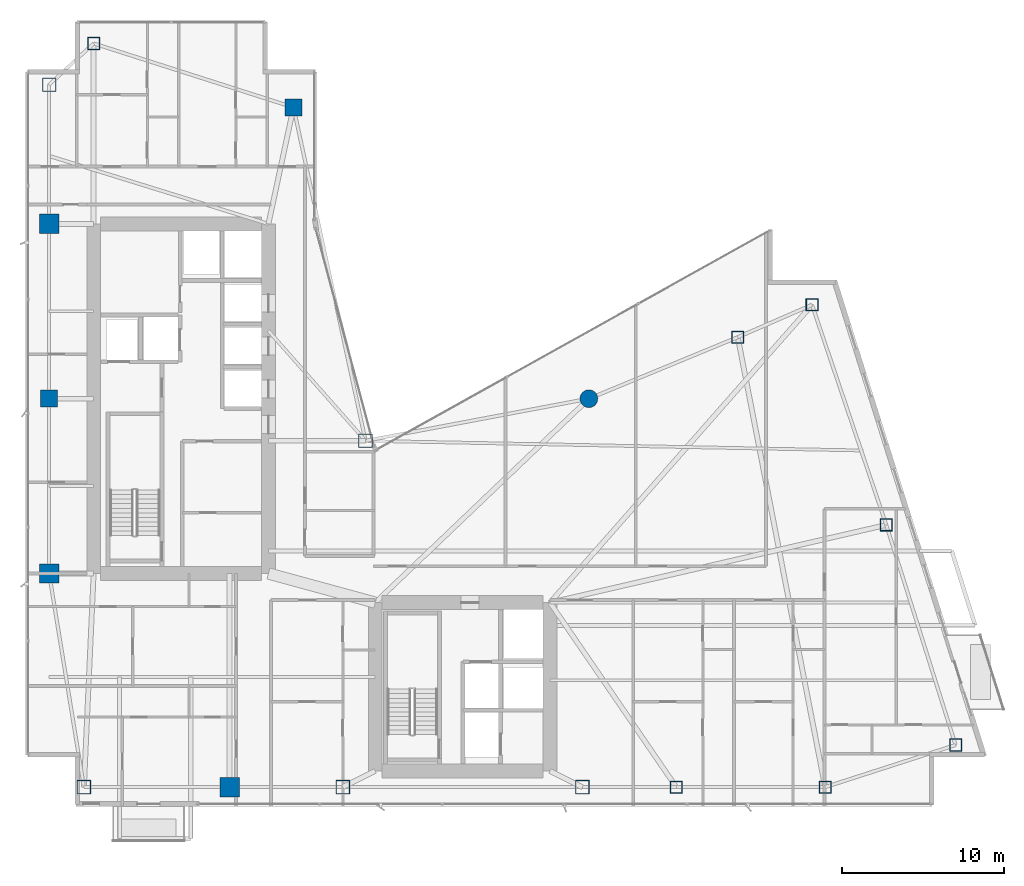
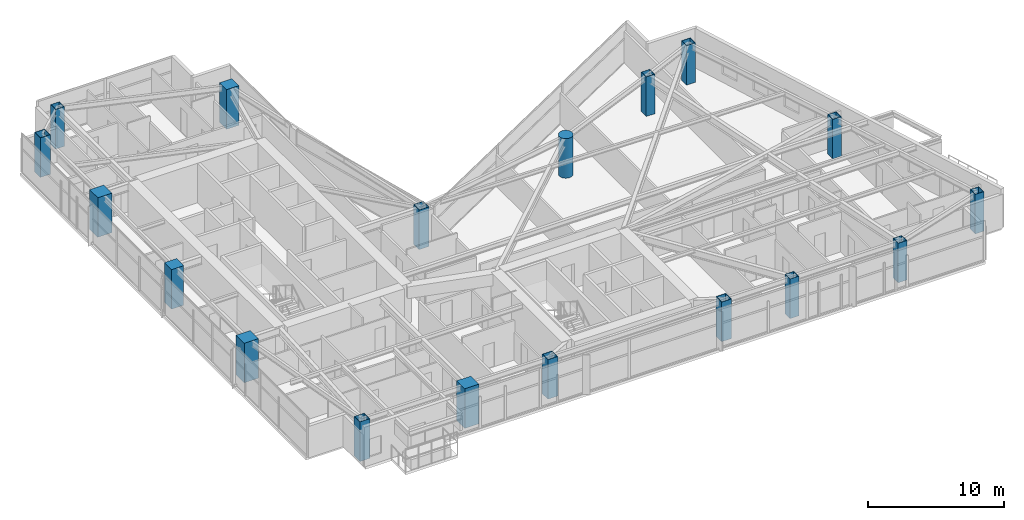
# One storey, part 1 of 29: 18 columns.
"""IFC4 building model written with IfcOpenShell, lengths in metres."""

from ifc_helpers import new_model, si_unit, direction, frame, origin, origin_2d, place, context, subcontext, project, spatial, rectangle, hollow_rectangle, circle, extrude, material, material_profile, profile_set, type_object, element, save


model = new_model("IFC4")

# Units and contexts
model_context = context("Model", 3, precision=1e-05, world=origin(), true_north=direction((0.0, 1.0)))
body_context = subcontext(model_context, "Body", "Model", "MODEL_VIEW")
ifc_project = project(units=[si_unit("LENGTHUNIT", "METRE"), si_unit("AREAUNIT", "SQUARE_METRE"), si_unit("VOLUMEUNIT", "CUBIC_METRE"), si_unit("PLANEANGLEUNIT", "RADIAN"), si_unit("MASSUNIT", "GRAM", prefix="KILO")], contexts=[model_context])

# Site, building, storey
site_placement = place(None, origin())
site = spatial("IfcSite", under=ifc_project, at=site_placement, CompositionType="ELEMENT")
building_placement = place(site_placement, origin())
building = spatial("IfcBuilding", under=site, at=building_placement, Name="Calvorn Quay Hotel", CompositionType="ELEMENT")
storey_placement = place(building_placement, frame((0.0, 0.0, 124.0)))
storey = spatial("IfcBuildingStorey", under=building, at=storey_placement, Name="L30", CompositionType="ELEMENT", Elevation=124.0)

# Columns
ifc_material_1 = material(Name="Concrete C50", Category="concrete")
ifc_material_profile_1 = material_profile(ifc_material_1, rectangle(XDim=1.050048828125, YDim=1.050048828125, at=origin_2d()), Name="RC1050x1050")
ifc_profile_set_1 = profile_set([ifc_material_profile_1], Name="Concrete C50")
column_type_1 = type_object("IfcColumnType", Name="COL-RC-1050", PredefinedType="COLUMN", material=ifc_profile_set_1)
for number, where, z_axis, x_axis, name in (
    (1, (1.449951171875, 27.60009765625, 0.0), (0.0, 0.0, 1.0), (1.0, 0.0, 0.0), "Column C-W3 (L30)"),
    (2, (16.550048828125, 45.60009765625, 0.0), (0.0, 0.0, 1.0), (1.0, 0.0, 0.0), "Column C-IC1 (L30)"),
):
    element("IfcColumn", number, at=place(storey_placement, frame(where, z_axis=z_axis, x_axis=x_axis)), inside=storey, type_object=column_type_1, Name=name, PredefinedType="COLUMN", context=body_context, shape_type="SweptSolid", body=[
        extrude(rectangle(XDim=1.050048828125, YDim=1.050048828125, at=origin_2d()), origin(), (0.0, 0.0, 1.0), 3.56005859375),
    ])
ifc_material_2 = material(Name="Concrete C50", Category="concrete")
ifc_material_profile_2 = material_profile(ifc_material_2, rectangle(XDim=1.199951171875, YDim=1.199951171875, at=origin_2d()), Name="RC1200x1200")
ifc_profile_set_2 = profile_set([ifc_material_profile_2], Name="Concrete C50")
column_type_2 = type_object("IfcColumnType", Name="COL-RC-1200", PredefinedType="COLUMN", material=ifc_profile_set_2)
for number, where, z_axis, x_axis, name in (
    (3, (1.449951171875, 16.800048828125, 0.0), (0.0, 0.0, 1.0), (1.0, 0.0, 0.0), "Column C-W2 (L30)"),
    (4, (1.449951171875, 38.39990234375, 0.0), (0.0, 0.0, 1.0), (1.0, 0.0, 0.0), "Column C-W4 (L30)"),
    (5, (12.60009765625, 3.60009765625, 0.0), (0.0, 0.0, 1.0), (1.0, 0.0, 0.0), "Column C-S1 (L30)"),
):
    element("IfcColumn", number, at=place(storey_placement, frame(where, z_axis=z_axis, x_axis=x_axis)), inside=storey, type_object=column_type_2, Name=name, PredefinedType="COLUMN", context=body_context, shape_type="SweptSolid", body=[
        extrude(rectangle(XDim=1.199951171875, YDim=1.199951171875, at=origin_2d()), origin(), (0.0, 0.0, 1.0), 3.56005859375),
    ])
ifc_material_3 = material(Name="Concrete C50", Category="concrete")
ifc_material_profile_3 = material_profile(ifc_material_3, circle(Radius=0.550048828125, at=origin_2d()), Name="RCD1100")
ifc_profile_set_3 = profile_set([ifc_material_profile_3], Name="Concrete C50")
column_type_3 = type_object("IfcColumnType", Name="COL-RC-D1100", PredefinedType="COLUMN", material=ifc_profile_set_3)
column_placement = place(storey_placement, frame((34.800048828125, 27.60009765625, 0.0), z_axis=(0.0, 0.0, 1.0), x_axis=(1.0, 0.0, 0.0)))
element("IfcColumn", 6, at=column_placement, inside=storey, type_object=column_type_3, Name="Column C-NC1 (L30)", PredefinedType="COLUMN", context=body_context, shape_type="SweptSolid", body=[
    extrude(circle(Radius=0.550048828125, at=origin_2d()), origin(), (0.0, 0.0, 1.0), 3.56005859375),
])
ifc_material_4 = material(Name="Steel Q390GJC", Category="steel")
ifc_material_profile_4 = material_profile(ifc_material_4, hollow_rectangle(XDim=0.85009765625, YDim=0.85009765625, WallThickness=0.035888671875, at=origin_2d()), Name="BOX850x850x36")
ifc_profile_set_4 = profile_set([ifc_material_profile_4], Name="Steel Q390GJC")
column_type_4 = type_object("IfcColumnType", Name="COL-STL-Z2", PredefinedType="COLUMN", material=ifc_profile_set_4)
for number, where, z_axis, x_axis, name in (
    (7, (3.60009765625, 3.60009765625, 0.0), (0.0, 0.0, 1.0), (1.0, 0.0, 0.0), "Column C-W1 (L30)"),
    (8, (1.449951171875, 47.0, 0.0), (0.0, 0.0, 1.0), (1.0, 0.0, 0.0), "Column C-W5 (L30)"),
    (9, (21.0, 25.0, 0.0), (0.0, 0.0, 1.0), (1.0, 0.0, 0.0), "Column C-IC2 (L30)"),
    (10, (19.60009765625, 3.60009765625, 0.0), (0.0, 0.0, 1.0), (1.0, 0.0, 0.0), "Column C-S2 (L30)"),
    (11, (34.39990234375, 3.60009765625, 0.0), (0.0, 0.0, 1.0), (1.0, 0.0, 0.0), "Column C-S3 (L30)"),
):
    element("IfcColumn", number, at=place(storey_placement, frame(where, z_axis=z_axis, x_axis=x_axis)), inside=storey, type_object=column_type_4, Name=name, PredefinedType="COLUMN", context=body_context, shape_type="SweptSolid", body=[
        extrude(hollow_rectangle(XDim=0.85009765625, YDim=0.85009765625, WallThickness=0.035888671875, at=origin_2d()), origin(), (0.0, 0.0, 1.0), 3.56005859375),
    ])
ifc_material_5 = material(Name="Steel Q390GJC", Category="steel")
ifc_material_profile_5 = material_profile(ifc_material_5, hollow_rectangle(XDim=0.75, YDim=0.75, WallThickness=0.031982421875, at=origin_2d()), Name="BOX750x750x32")
ifc_profile_set_5 = profile_set([ifc_material_profile_5], Name="Steel Q390GJC")
column_type_5 = type_object("IfcColumnType", Name="COL-STL-Z3", PredefinedType="COLUMN", material=ifc_profile_set_5)
for number, where, z_axis, x_axis, name in (
    (12, (4.199951171875, 49.550048828125, 0.0), (0.0, 0.0, 1.0), (1.0, 0.0, 0.0), "Column C-NW1 (L30)"),
    (13, (40.199951171875, 3.60009765625, 0.0), (0.0, 0.0, 1.0), (1.0, 0.0, 0.0), "Column C-S4 (L30)"),
    (14, (49.39990234375, 3.60009765625, 0.0), (0.0, 0.0, 1.0), (1.0, 0.0, 0.0), "Column C-S5 (L30)"),
    (15, (44.0, 31.39990234375, 0.0), (0.0, 0.0, 1.0), (1.0, 0.0, 0.0), "Column C-NC2 (L30)"),
    (16, (57.4609375, 6.199951171875, 0.0), (0.0, 0.0, 1.0), (1.0, 0.0, 0.0), "Column C-ET1 (L30)"),
    (17, (53.176025390625, 19.800048828125, 0.0), (0.0, 0.0, 1.0), (1.0, 0.0, 0.0), "Column C-ET2 (L30)"),
    (18, (48.591064453125, 33.39990234375, 0.0), (0.0, 0.0, 1.0), (1.0, 0.0, 0.0), "Column C-ET3 (L30)"),
):
    element("IfcColumn", number, at=place(storey_placement, frame(where, z_axis=z_axis, x_axis=x_axis)), inside=storey, type_object=column_type_5, Name=name, PredefinedType="COLUMN", context=body_context, shape_type="SweptSolid", body=[
        extrude(hollow_rectangle(XDim=0.75, YDim=0.75, WallThickness=0.031982421875, at=origin_2d()), origin(), (0.0, 0.0, 1.0), 3.56005859375),
    ])

save(model, "model.ifc")
